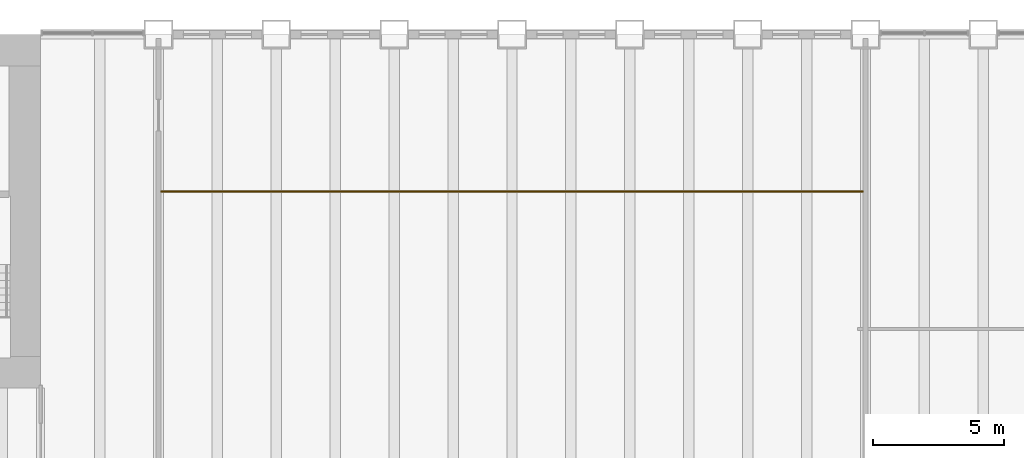
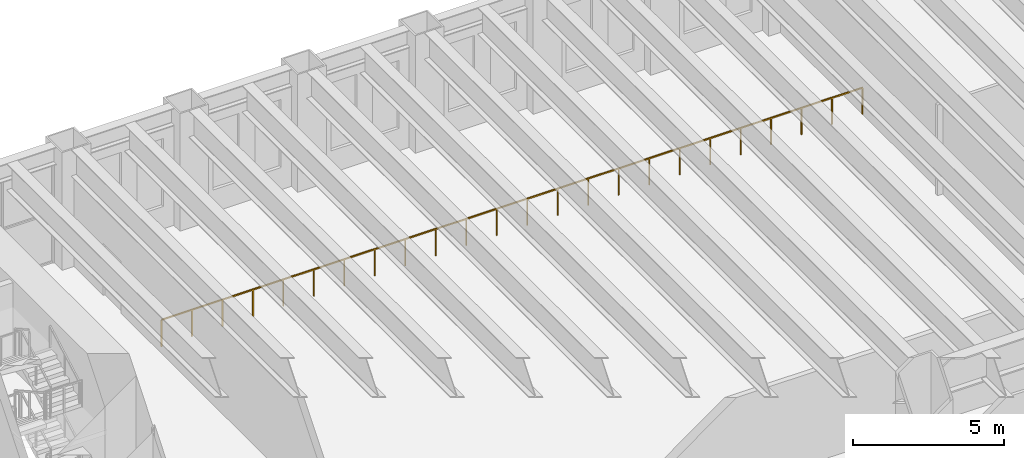
# One storey, part 19 of 19: 1 railing.
"""IFC4 building model written with IfcOpenShell, lengths in metres."""

from ifc_helpers import new_model, si_unit, direction, frame, origin, origin_2d, place, context, subcontext, project, spatial, rectangle, extrude, material, type_object, element, save


model = new_model("IFC4")

# Units and contexts
model_context = context("Model", 3, precision=1e-05, world=origin(), true_north=direction((0.0, 1.0)))
body_context = subcontext(model_context, "Body", "Model", "MODEL_VIEW")
ifc_project = project(units=[si_unit("LENGTHUNIT", "METRE"), si_unit("AREAUNIT", "SQUARE_METRE"), si_unit("VOLUMEUNIT", "CUBIC_METRE"), si_unit("PLANEANGLEUNIT", "RADIAN"), si_unit("MASSUNIT", "GRAM", prefix="KILO")], contexts=[model_context])

# Site, building, storey
site_placement = place(None, origin())
site = spatial("IfcSite", under=ifc_project, at=site_placement, CompositionType="ELEMENT")
building_placement = place(site_placement, origin())
building = spatial("IfcBuilding", under=site, at=building_placement, Name="Sennacour Bend Tower", CompositionType="ELEMENT")
storey_placement = place(building_placement, frame((0.0, 0.0, 14.0)))
storey = spatial("IfcBuildingStorey", under=building, at=storey_placement, Name="L02", CompositionType="ELEMENT", Elevation=14.0)

# Railing
ifc_material = material(Name="Stainless steel", Category="steel")
railing_type = type_object("IfcRailingType", Name="RL-GUARD-1100", PredefinedType="GUARDRAIL", material=ifc_material)
railing_placement = place(storey_placement, frame((27.10009765625, 43.5, 0.0)))
element("IfcRailing", 1, at=railing_placement, inside=storey, type_object=railing_type, Name="L02 auditorium tier guard", PredefinedType="GUARDRAIL", context=body_context, shape_type="SweptSolid", body=[
    extrude(rectangle(XDim=0.048095703125, YDim=0.048095703125, at=origin_2d()), frame((0.0, 0.0, 1.076171875), z_axis=(1.0, 0.0, 0.0), x_axis=(0.0, 1.0, 0.0)), (0.0, 0.0, 1.0), 26.7998046875),
    extrude(rectangle(XDim=0.0419921875, YDim=0.0419921875, at=origin_2d()), origin(), (0.0, 0.0, 1.0), 1.052001953125),
    extrude(rectangle(XDim=0.0419921875, YDim=0.0419921875, at=origin_2d()), frame((1.165283203125, 0.0, 0.0)), (0.0, 0.0, 1.0), 1.052001953125),
    extrude(rectangle(XDim=0.0419921875, YDim=0.0419921875, at=origin_2d()), frame((2.330322265625, 0.0, 0.0)), (0.0, 0.0, 1.0), 1.052001953125),
    extrude(rectangle(XDim=0.0419921875, YDim=0.0419921875, at=origin_2d()), frame((3.49560546875, 0.0, 0.0)), (0.0, 0.0, 1.0), 1.052001953125),
    extrude(rectangle(XDim=0.0419921875, YDim=0.0419921875, at=origin_2d()), frame((4.660888671875, 0.0, 0.0)), (0.0, 0.0, 1.0), 1.052001953125),
    extrude(rectangle(XDim=0.0419921875, YDim=0.0419921875, at=origin_2d()), frame((5.825927734375, 0.0, 0.0)), (0.0, 0.0, 1.0), 1.052001953125),
    extrude(rectangle(XDim=0.0419921875, YDim=0.0419921875, at=origin_2d()), frame((6.9912109375, 0.0, 0.0)), (0.0, 0.0, 1.0), 1.052001953125),
    extrude(rectangle(XDim=0.0419921875, YDim=0.0419921875, at=origin_2d()), frame((8.156494140625, 0.0, 0.0)), (0.0, 0.0, 1.0), 1.052001953125),
    extrude(rectangle(XDim=0.0419921875, YDim=0.0419921875, at=origin_2d()), frame((9.32177734375, 0.0, 0.0)), (0.0, 0.0, 1.0), 1.052001953125),
    extrude(rectangle(XDim=0.0419921875, YDim=0.0419921875, at=origin_2d()), frame((10.48681640625, 0.0, 0.0)), (0.0, 0.0, 1.0), 1.052001953125),
    extrude(rectangle(XDim=0.0419921875, YDim=0.0419921875, at=origin_2d()), frame((11.652099609375, 0.0, 0.0)), (0.0, 0.0, 1.0), 1.052001953125),
    extrude(rectangle(XDim=0.0419921875, YDim=0.0419921875, at=origin_2d()), frame((12.8173828125, 0.0, 0.0)), (0.0, 0.0, 1.0), 1.052001953125),
    extrude(rectangle(XDim=0.0419921875, YDim=0.0419921875, at=origin_2d()), frame((13.982421875, 0.0, 0.0)), (0.0, 0.0, 1.0), 1.052001953125),
    extrude(rectangle(XDim=0.0419921875, YDim=0.0419921875, at=origin_2d()), frame((15.147705078125, 0.0, 0.0)), (0.0, 0.0, 1.0), 1.052001953125),
    extrude(rectangle(XDim=0.0419921875, YDim=0.0419921875, at=origin_2d()), frame((16.31298828125, 0.0, 0.0)), (0.0, 0.0, 1.0), 1.052001953125),
    extrude(rectangle(XDim=0.0419921875, YDim=0.0419921875, at=origin_2d()), frame((17.47802734375, 0.0, 0.0)), (0.0, 0.0, 1.0), 1.052001953125),
    extrude(rectangle(XDim=0.0419921875, YDim=0.0419921875, at=origin_2d()), frame((18.643310546875, 0.0, 0.0)), (0.0, 0.0, 1.0), 1.052001953125),
    extrude(rectangle(XDim=0.0419921875, YDim=0.0419921875, at=origin_2d()), frame((19.80859375, 0.0, 0.0)), (0.0, 0.0, 1.0), 1.052001953125),
    extrude(rectangle(XDim=0.0419921875, YDim=0.0419921875, at=origin_2d()), frame((20.973876953125, 0.0, 0.0)), (0.0, 0.0, 1.0), 1.052001953125),
    extrude(rectangle(XDim=0.0419921875, YDim=0.0419921875, at=origin_2d()), frame((22.138916015625, 0.0, 0.0)), (0.0, 0.0, 1.0), 1.052001953125),
    extrude(rectangle(XDim=0.0419921875, YDim=0.0419921875, at=origin_2d()), frame((23.30419921875, 0.0, 0.0)), (0.0, 0.0, 1.0), 1.052001953125),
    extrude(rectangle(XDim=0.0419921875, YDim=0.0419921875, at=origin_2d()), frame((24.469482421875, 0.0, 0.0)), (0.0, 0.0, 1.0), 1.052001953125),
    extrude(rectangle(XDim=0.0419921875, YDim=0.0419921875, at=origin_2d()), frame((25.634521484375, 0.0, 0.0)), (0.0, 0.0, 1.0), 1.052001953125),
    extrude(rectangle(XDim=0.0419921875, YDim=0.0419921875, at=origin_2d()), frame((26.7998046875, 0.0, 0.0)), (0.0, 0.0, 1.0), 1.052001953125),
])

save(model, "model.ifc")
